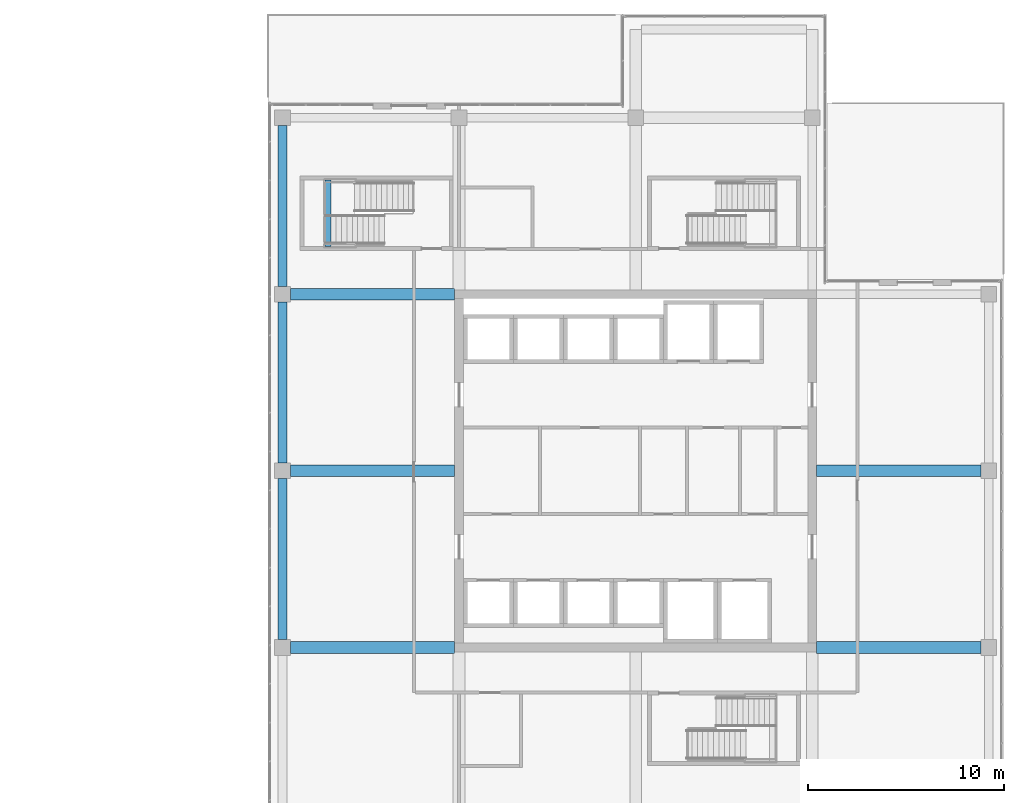
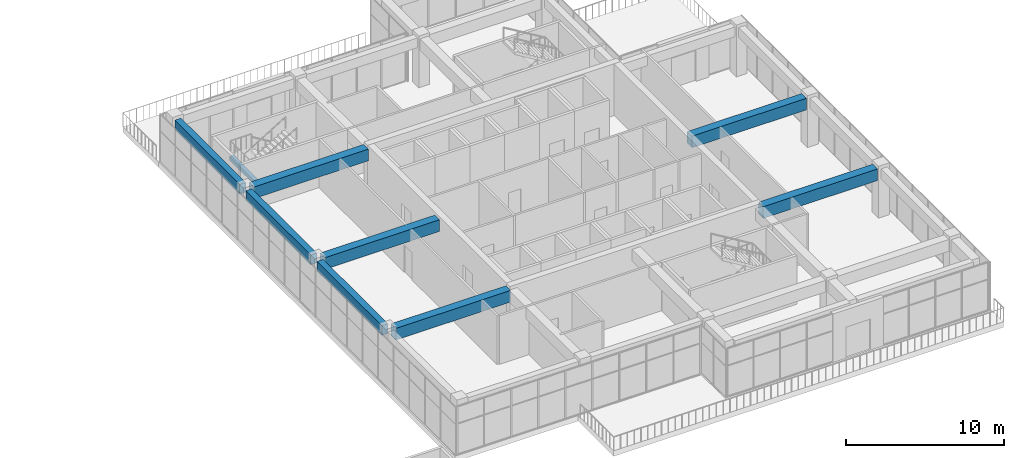
# One storey, part 44 of 81: 9 beams.
"""IFC4 building model written with IfcOpenShell, lengths in metres."""

from ifc_helpers import new_model, si_unit, direction, frame, origin, origin_2d, place, context, subcontext, project, spatial, rectangle, extrude, material, material_profile, profile_set, type_object, element, save


model = new_model("IFC4")

# Units and contexts
model_context = context("Model", 3, precision=1e-05, world=origin(), true_north=direction((0.0, 1.0)))
body_context = subcontext(model_context, "Body", "Model", "MODEL_VIEW")
ifc_project = project(units=[si_unit("LENGTHUNIT", "METRE"), si_unit("AREAUNIT", "SQUARE_METRE"), si_unit("VOLUMEUNIT", "CUBIC_METRE"), si_unit("PLANEANGLEUNIT", "RADIAN"), si_unit("MASSUNIT", "GRAM", prefix="KILO")], contexts=[model_context])

# Site, building, storey
site_placement = place(None, origin())
site = spatial("IfcSite", under=ifc_project, at=site_placement, CompositionType="ELEMENT")
building_placement = place(site_placement, origin())
building = spatial("IfcBuilding", under=site, at=building_placement, Name="Tuart Plaza Theatre", CompositionType="ELEMENT")
storey_placement = place(building_placement, frame((0.0, 0.0, 17.5)))
storey = spatial("IfcBuildingStorey", under=building, at=storey_placement, Name="L04", CompositionType="ELEMENT", Elevation=17.5)

# Beams
ifc_material_1 = material(Name="Concrete N40 (40 MPa)", Category="concrete")
ifc_material_profile_1 = material_profile(ifc_material_1, rectangle(XDim=0.300048828125, YDim=0.300048828125, at=origin_2d()), Name="BEAM 300x300 Concrete N40 (40 MPa)")
ifc_profile_set_1 = profile_set([ifc_material_profile_1], Name="Concrete N40 (40 MPa)")
beam_type_1 = type_object("IfcBeamType", Name="BEAM 300x300 Concrete N40 (40 MPa)", PredefinedType="BEAM", material=ifc_profile_set_1)
beam_placement = place(storey_placement, frame((116.320068359375, 88.824951171875, 1.64990234375), z_axis=(0.0, -1.0, 0.0), x_axis=(1.0, 0.0, 0.0)))
element("IfcBeam", 1, at=beam_placement, inside=storey, type_object=beam_type_1, Name="RB532", PredefinedType="BEAM", context=body_context, shape_type="SweptSolid", body=[
    extrude(rectangle(XDim=0.300048828125, YDim=0.300048828125, at=origin_2d()), origin(), (0.0, 0.0, 1.0), 3.39990234375),
])
ifc_material_2 = material(Name="Concrete N40 (40 MPa)", Category="concrete")
ifc_material_profile_2 = material_profile(ifc_material_2, rectangle(XDim=0.449951171875, YDim=0.75, at=origin_2d()), Name="BEAM 450x750 Concrete N40 (40 MPa)")
ifc_profile_set_2 = profile_set([ifc_material_profile_2], Name="Concrete N40 (40 MPa)")
beam_type_2 = type_object("IfcBeamType", Name="BEAM 450x750 Concrete N40 (40 MPa)", PredefinedType="BEAM", material=ifc_profile_set_2)
for number, where, z_axis, x_axis, name in (
    (2, (114.0, 65.39990234375, 3.375), (0.0, 1.0, 0.0), (-1.0, 0.0, 0.0), "RB209"),
    (3, (114.0, 74.39990234375, 3.375), (0.0, 1.0, 0.0), (-1.0, 0.0, 0.0), "RB211"),
    (4, (114.0, 83.39990234375, 3.375), (0.0, 1.0, 0.0), (-1.0, 0.0, 0.0), "RB213"),
):
    element("IfcBeam", number, at=place(storey_placement, frame(where, z_axis=z_axis, x_axis=x_axis)), inside=storey, type_object=beam_type_2, Name=name, PredefinedType="BEAM", context=body_context, shape_type="SweptSolid", body=[
        extrude(rectangle(XDim=0.449951171875, YDim=0.75, at=origin_2d()), origin(), (0.0, 0.0, 1.0), 8.2001953125),
    ])
ifc_material_3 = material(Name="Concrete N40 (40 MPa)", Category="concrete")
ifc_material_profile_3 = material_profile(ifc_material_3, rectangle(XDim=0.60009765625, YDim=0.89990234375, at=origin_2d()), Name="BEAM 600x900 Concrete N40 (40 MPa)")
ifc_profile_set_3 = profile_set([ifc_material_profile_3], Name="Concrete N40 (40 MPa)")
beam_type_3 = type_object("IfcBeamType", Name="BEAM 600x900 Concrete N40 (40 MPa)", PredefinedType="BEAM", material=ifc_profile_set_3)
for number, where, z_axis, x_axis, name in (
    (5, (114.39990234375, 65.0, 3.300048828125), (1.0, 0.0, 0.0), (0.0, 1.0, 0.0), "RB210"),
    (6, (114.39990234375, 74.0, 3.300048828125), (1.0, 0.0, 0.0), (0.0, 1.0, 0.0), "RB212"),
    (7, (114.39990234375, 83.0, 3.300048828125), (1.0, 0.0, 0.0), (0.0, 1.0, 0.0), "RB214"),
    (8, (141.22509765625, 65.0, 3.300048828125), (1.0, 0.0, 0.0), (0.0, 1.0, 0.0), "RB234"),
    (9, (141.22509765625, 74.0, 3.300048828125), (1.0, 0.0, 0.0), (0.0, 1.0, 0.0), "RB235"),
):
    element("IfcBeam", number, at=place(storey_placement, frame(where, z_axis=z_axis, x_axis=x_axis)), inside=storey, type_object=beam_type_3, Name=name, PredefinedType="BEAM", context=body_context, shape_type="SweptSolid", body=[
        extrude(rectangle(XDim=0.60009765625, YDim=0.89990234375, at=origin_2d()), origin(), (0.0, 0.0, 1.0), 8.375),
    ])

save(model, "model.ifc")
